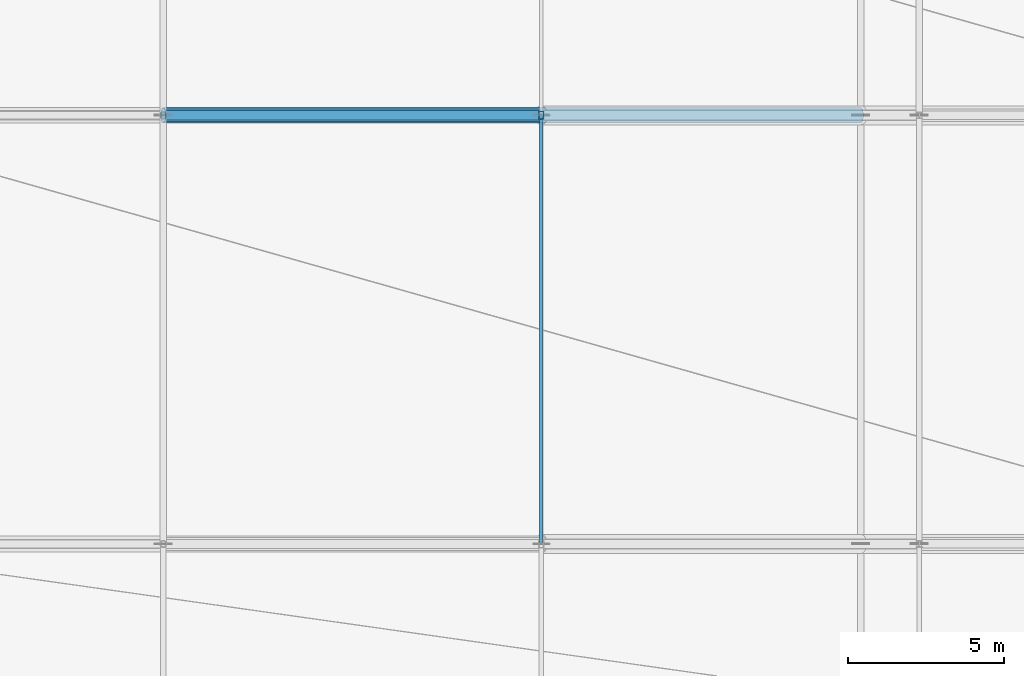
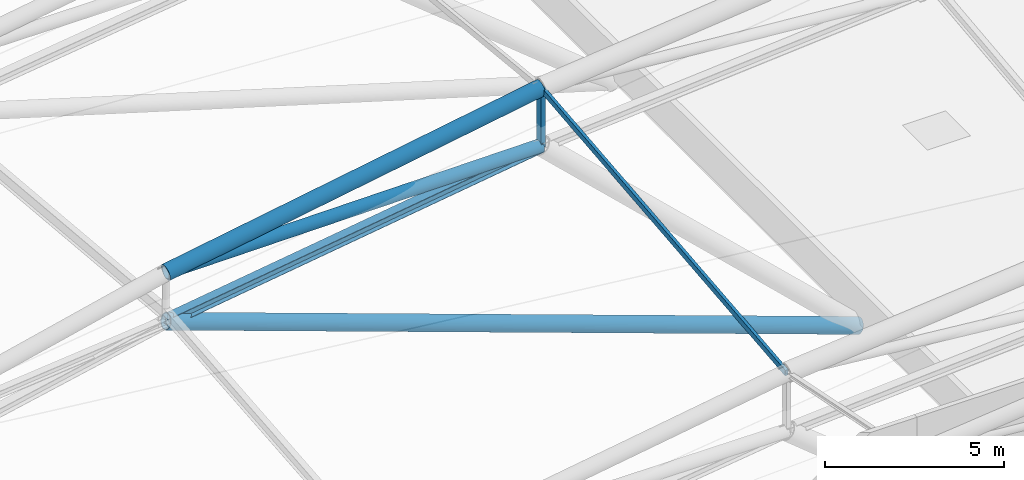
# One storey, part 34 of 113: 6 members.
"""IFC4 building model written with IfcOpenShell, lengths in metres."""

from ifc_helpers import new_model, si_unit, direction, frame, origin, origin_2d, place, context, subcontext, project, spatial, hollow_rectangle, hollow_circle, i_section, extrude, material, material_profile, profile_set, type_object, element, save


model = new_model("IFC4")

# Units and contexts
model_context = context("Model", 3, precision=1e-05, world=origin(), true_north=direction((0.0, 1.0)))
body_context = subcontext(model_context, "Body", "Model", "MODEL_VIEW")
ifc_project = project(units=[si_unit("LENGTHUNIT", "METRE"), si_unit("AREAUNIT", "SQUARE_METRE"), si_unit("VOLUMEUNIT", "CUBIC_METRE"), si_unit("PLANEANGLEUNIT", "RADIAN"), si_unit("MASSUNIT", "GRAM", prefix="KILO")], contexts=[model_context])

# Site, building, storey
site_placement = place(None, origin())
site = spatial("IfcSite", under=ifc_project, at=site_placement, CompositionType="ELEMENT")
building_placement = place(site_placement, origin())
building = spatial("IfcBuilding", under=site, at=building_placement, Name="Linyun Crest Stadium", CompositionType="ELEMENT")
storey_placement = place(building_placement, frame((0.0, 0.0, 26.39990234375)))
storey = spatial("IfcBuildingStorey", under=building, at=storey_placement, Name="L06", CompositionType="ELEMENT", Elevation=26.39990234375)

# Members
ifc_material_1 = material(Name="Steel Q355C", Category="steel")
ifc_material_profile_1 = material_profile(ifc_material_1, hollow_rectangle(XDim=0.10009765625, YDim=0.199951171875, WallThickness=0.008056640625, at=origin_2d()), Name="RHS 200x100x8")
ifc_profile_set_1 = profile_set([ifc_material_profile_1], Name="Steel Q355C")
member_type_1 = type_object("IfcMemberType", Name="AR02", PredefinedType="USERDEFINED", material=ifc_profile_set_1)
member_1_placement = place(storey_placement, frame((59.75, -39.125, 10.09912109375), z_axis=(0.0, 0.994834033314, 0.101514758336), x_axis=(-1.0, 0.0, 0.0)))
element("IfcMember", 1, at=member_1_placement, inside=storey, type_object=member_type_1, Name="Art Nouveau canopy arch rib AR02 V2 340", ObjectType="ARCH RIB", PredefinedType="USERDEFINED", context=body_context, shape_type="SweptSolid", body=[
    extrude(hollow_rectangle(XDim=0.10009765625, YDim=0.199951171875, WallThickness=0.008056640625, at=origin_2d()), origin(), (0.0, 0.0, 1.0), 13.8212890625),
])
ifc_material_2 = material(Name="Steel Q420C", Category="steel")
ifc_material_profile_2 = material_profile(ifc_material_2, hollow_circle(Radius=0.25390625, WallThickness=0.02490234375, at=origin_2d()), Name="CHS 508x25")
ifc_profile_set_2 = profile_set([ifc_material_profile_2], Name="Steel Q420C")
member_type_2 = type_object("IfcMemberType", Name="TC01", PredefinedType="CHORD", material=ifc_profile_set_2)
member_2_placement = place(storey_placement, frame((59.75, -25.375, 11.502197265625), z_axis=(-0.985667924462, 0.0, -0.168697192291), x_axis=(0.0, -1.0, 0.0)))
element("IfcMember", 2, at=member_2_placement, inside=storey, type_object=member_type_2, Name="Roof truss top chord TC01 V2 228", PredefinedType="CHORD", context=body_context, shape_type="SweptSolid", body=[
    extrude(hollow_circle(Radius=0.25390625, WallThickness=0.02490234375, at=origin_2d()), origin(), (0.0, 0.0, 1.0), 12.30126953125),
])
member_3_placement = place(storey_placement, frame((70.0, -25.375, -0.21484375), z_axis=(-0.941915713226, 0.0, 0.335849354888), x_axis=(0.0, -1.0, 0.0)))
element("IfcMember", 3, at=member_3_placement, inside=storey, type_object=member_type_2, Name="Roof arch forward V-strut TC01 V2 237", PredefinedType="CHORD", context=body_context, shape_type="SweptSolid", body=[
    extrude(hollow_circle(Radius=0.25390625, WallThickness=0.02490234375, at=origin_2d()), origin(), (0.0, 0.0, 1.0), 23.7548828125),
])
ifc_material_3 = material(Name="Steel Q355C", Category="steel")
ifc_material_profile_3 = material_profile(ifc_material_3, i_section(OverallWidth=0.300048828125, OverallDepth=0.300048828125, WebThickness=0.010009765625, FlangeThickness=0.014892578125, at=origin_2d()), Name="HW 300x300")
ifc_profile_set_3 = profile_set([ifc_material_profile_3], Name="Steel Q355C")
member_type_3 = type_object("IfcMemberType", Name="TC03", PredefinedType="CHORD", material=ifc_profile_set_3)
member_4_placement = place(storey_placement, frame((59.75, -25.375, 9.526123046875), z_axis=(-0.989594539625, 0.0, -0.143884144866), x_axis=(0.0, -1.0, 0.0)))
element("IfcMember", 4, at=member_4_placement, inside=storey, type_object=member_type_3, Name="Roof truss bottom chord TC03 V2 229", PredefinedType="CHORD", context=body_context, shape_type="SweptSolid", body=[
    extrude(i_section(OverallWidth=0.300048828125, OverallDepth=0.300048828125, WebThickness=0.010009765625, FlangeThickness=0.014892578125, at=origin_2d()), origin(), (0.0, 0.0, 1.0), 12.25244140625),
])
ifc_material_4 = material(Name="Steel Q420C", Category="steel")
ifc_material_profile_4 = material_profile(ifc_material_4, hollow_circle(Radius=0.202880859375, WallThickness=0.02001953125, at=origin_2d()), Name="CHS 406x20")
ifc_profile_set_4 = profile_set([ifc_material_profile_4], Name="Steel Q420C")
member_type_4 = type_object("IfcMemberType", Name="TD03", PredefinedType="BRACE", material=ifc_profile_set_4)
member_5_placement = place(storey_placement, frame((59.75, -25.375, 9.526123046875), z_axis=(-0.999966586889, 0.0, -0.008174662417), x_axis=(0.0, -1.0, 0.0)))
element("IfcMember", 5, at=member_5_placement, inside=storey, type_object=member_type_4, Name="Roof truss diagonal TD03 V2 230", PredefinedType="BRACE", context=body_context, shape_type="SweptSolid", body=[
    extrude(hollow_circle(Radius=0.202880859375, WallThickness=0.02001953125, at=origin_2d()), origin(), (0.0, 0.0, 1.0), 12.12548828125),
])
ifc_material_5 = material(Name="Steel Q355C", Category="steel")
ifc_material_profile_5 = material_profile(ifc_material_5, hollow_rectangle(XDim=0.14990234375, YDim=0.25, WallThickness=0.010009765625, at=origin_2d()), Name="RHS 250x150x10")
ifc_profile_set_5 = profile_set([ifc_material_profile_5], Name="Steel Q355C")
member_type_5 = type_object("IfcMemberType", Name="TV03", PredefinedType="STRUT", material=ifc_profile_set_5)
member_6_placement = place(storey_placement, frame((59.75, -25.375, 9.526123046875), z_axis=(0.0, 0.0, 1.0), x_axis=(1.0, 0.0, 0.0)))
element("IfcMember", 6, at=member_6_placement, inside=storey, type_object=member_type_5, Name="Roof vertical strut TV03 V2 231", PredefinedType="STRUT", context=body_context, shape_type="SweptSolid", body=[
    extrude(hollow_rectangle(XDim=0.14990234375, YDim=0.25, WallThickness=0.010009765625, at=origin_2d()), origin(), (0.0, 0.0, 1.0), 1.97607421875),
])

save(model, "model.ifc")
